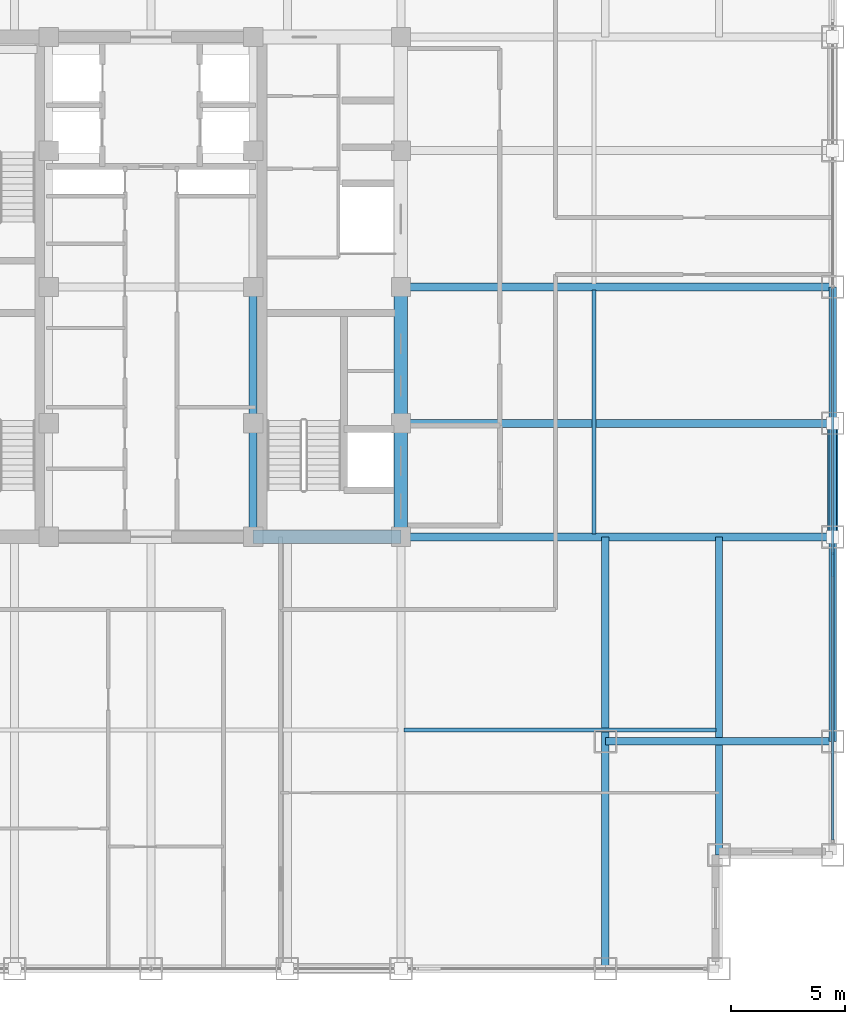
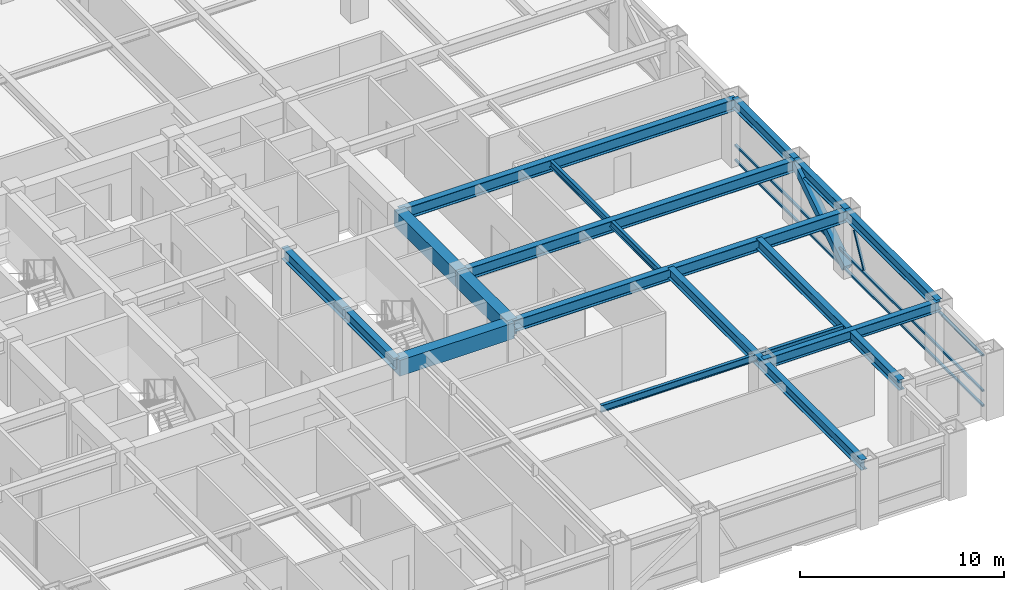
# One storey, part 9 of 24: 16 beams, 5 members, 1 element without a shape of its own.
"""IFC4 building model written with IfcOpenShell, lengths in metres."""

from ifc_helpers import new_model, si_unit, direction, frame, origin, origin_2d, place, context, subcontext, project, spatial, rectangle, hollow_rectangle, i_section, extrude, source, transform, mapped, material, material_profile, profile_set, type_object, element, aggregate, save


model = new_model("IFC4")

# Units and contexts
model_context = context("Model", 3, precision=1e-05, world=origin(), true_north=direction((0.0, 1.0)))
body_context = subcontext(model_context, "Body", "Model", "MODEL_VIEW")
ifc_project = project(units=[si_unit("LENGTHUNIT", "METRE"), si_unit("AREAUNIT", "SQUARE_METRE"), si_unit("VOLUMEUNIT", "CUBIC_METRE"), si_unit("PLANEANGLEUNIT", "RADIAN"), si_unit("MASSUNIT", "GRAM", prefix="KILO")], contexts=[model_context])

# Site, building, storey
site_placement = place(None, origin())
site = spatial("IfcSite", under=ifc_project, at=site_placement, CompositionType="ELEMENT")
building_placement = place(site_placement, origin())
building = spatial("IfcBuilding", under=site, at=building_placement, Name="Khorayat Bourse Tower", CompositionType="ELEMENT")
storey_placement = place(building_placement, frame((0.0, 0.0, 211.10009765625)))
storey = spatial("IfcBuildingStorey", under=building, at=storey_placement, Name="L49", CompositionType="ELEMENT", Elevation=211.10009765625)

# Beams
ifc_material_1 = material(Name="Steel ASTM A992 Grade 50", Category="steel")
ifc_material_profile_1 = material_profile(ifc_material_1, i_section(OverallWidth=0.35498046875, OverallDepth=0.695068359375, WebThickness=0.015380859375, FlangeThickness=0.02490234375, FilletRadius=0.01806640625, at=origin_2d()), Name="W690X217")
ifc_profile_set_1 = profile_set([ifc_material_profile_1], Name="Steel ASTM A992 Grade 50")
beam_type_1 = type_object("IfcBeamType", Name="BM-GIRD-690", PredefinedType="BEAM", material=ifc_profile_set_1)
shared_shape_1 = source(origin(), body_context, "Body", "SweptSolid", [
    extrude(i_section(OverallWidth=0.35498046875, OverallDepth=0.695068359375, WebThickness=0.015380859375, FlangeThickness=0.02490234375, FilletRadius=0.01806640625, at=origin_2d()), origin(), (0.0, 0.0, 1.0), 5.0),
])
beam_1_placement = place(storey_placement, frame((4.5, -11.0, 3.432373046875), z_axis=(0.0, 1.0, 0.0), x_axis=(-1.0, 0.0, 0.0)))
element("IfcBeam", 1, at=beam_1_placement, inside=storey, type_object=beam_type_1, Name="L49 BM-GIRD-690 BM-L49-CRX-09", PredefinedType="BEAM", context=body_context, shape_type="MappedRepresentation", body=[
    mapped(shared_shape_1, transform((0.0, 0.0, 0.0), scale=1.0)),
])
shared_shape_2 = source(origin(), body_context, "Body", "SweptSolid", [
    extrude(i_section(OverallWidth=0.35498046875, OverallDepth=0.695068359375, WebThickness=0.015380859375, FlangeThickness=0.02490234375, FilletRadius=0.01806640625, at=origin_2d()), origin(), (0.0, 0.0, 1.0), 6.0),
])
beam_2_placement = place(storey_placement, frame((4.5, -6.0, 3.432373046875), z_axis=(0.0, 1.0, 0.0), x_axis=(-1.0, 0.0, 0.0)))
element("IfcBeam", 2, at=beam_2_placement, inside=storey, type_object=beam_type_1, Name="L49 BM-GIRD-690 BM-L49-CRX-10", PredefinedType="BEAM", context=body_context, shape_type="MappedRepresentation", body=[
    mapped(shared_shape_2, transform((0.0, 0.0, 0.0), scale=1.0)),
])
ifc_material_profile_2 = material_profile(ifc_material_1, i_section(OverallWidth=0.324951171875, OverallDepth=0.615966796875, WebThickness=0.013916015625, FlangeThickness=0.021484375, FilletRadius=0.01611328125, at=origin_2d()), Name="W610X174")
ifc_profile_set_2 = profile_set([ifc_material_profile_2], Name="Steel ASTM A992 Grade 50")
beam_type_2 = type_object("IfcBeamType", Name="BM-GIRD-610", PredefinedType="BEAM", material=ifc_profile_set_2)
shared_shape_3 = source(origin(), body_context, "Body", "SweptSolid", [
    extrude(i_section(OverallWidth=0.324951171875, OverallDepth=0.615966796875, WebThickness=0.013916015625, FlangeThickness=0.021484375, FilletRadius=0.01611328125, at=origin_2d()), origin(), (0.0, 0.0, 1.0), 19.0),
])
beam_3_placement = place(storey_placement, frame((20.0, -30.0, 3.471923828125), z_axis=(0.0, 1.0, 0.0), x_axis=(-1.0, 0.0, 0.0)))
element("IfcBeam", 3, at=beam_3_placement, inside=storey, type_object=beam_type_2, Name="L49 BM-GIRD-610 BM-L49-CNRY-086", PredefinedType="BEAM", context=body_context, shape_type="MappedRepresentation", body=[
    mapped(shared_shape_3, transform((0.0, 0.0, 0.0), scale=1.0)),
])
shared_shape_4 = source(origin(), body_context, "Body", "SweptSolid", [
    extrude(i_section(OverallWidth=0.324951171875, OverallDepth=0.615966796875, WebThickness=0.013916015625, FlangeThickness=0.021484375, FilletRadius=0.01611328125, at=origin_2d()), origin(), (0.0, 0.0, 1.0), 10.0),
])
beam_4_placement = place(storey_placement, frame((20.0, -20.0, 3.471923828125), z_axis=(1.0, 0.0, 0.0), x_axis=(0.0, 1.0, 0.0)))
element("IfcBeam", 4, at=beam_4_placement, inside=storey, type_object=beam_type_2, Name="L49 BM-GIRD-610 BM-L49-CNRX-092", PredefinedType="BEAM", context=body_context, shape_type="MappedRepresentation", body=[
    mapped(shared_shape_4, transform((0.0, 0.0, 0.0), scale=1.0)),
])
ifc_material_profile_3 = material_profile(ifc_material_1, i_section(OverallWidth=0.180908203125, OverallDepth=0.4169921875, WebThickness=0.010986328125, FlangeThickness=0.018310546875, FilletRadius=0.011962890625, at=origin_2d()), Name="W410X85")
ifc_profile_set_3 = profile_set([ifc_material_profile_3], Name="Steel ASTM A992 Grade 50")
beam_type_3 = type_object("IfcBeamType", Name="BM-JOIST-410", PredefinedType="JOIST", material=ifc_profile_set_3)
shared_shape_5 = source(origin(), body_context, "Body", "SweptSolid", [
    extrude(i_section(OverallWidth=0.180908203125, OverallDepth=0.4169921875, WebThickness=0.010986328125, FlangeThickness=0.018310546875, FilletRadius=0.011962890625, at=origin_2d()), origin(), (0.0, 0.0, 1.0), 10.740234375),
])
beam_5_placement = place(storey_placement, frame((19.5, -10.8701171875, 3.5712890625), z_axis=(0.0, 1.0, 0.0), x_axis=(-1.0, 0.0, 0.0)))
element("IfcBeam", 5, at=beam_5_placement, inside=storey, type_object=beam_type_3, Name="L49 BM-JOIST-410 BM-L49-JSTY-104", PredefinedType="JOIST", context=body_context, shape_type="MappedRepresentation", body=[
    mapped(shared_shape_5, transform((0.0, 0.0, 0.0), scale=1.0)),
])
ifc_material_profile_4 = material_profile(ifc_material_1, i_section(OverallWidth=0.324951171875, OverallDepth=0.615966796875, WebThickness=0.013916015625, FlangeThickness=0.021484375, FilletRadius=0.01611328125, at=origin_2d()), Name="W610X174")
ifc_profile_set_4 = profile_set([ifc_material_profile_4], Name="Steel ASTM A992 Grade 50")
beam_type_4 = type_object("IfcBeamType", Name="BM-SPAN-610", PredefinedType="SPANDREL", material=ifc_profile_set_4)
shared_shape_6 = source(origin(), body_context, "Body", "SweptSolid", [
    extrude(i_section(OverallWidth=0.324951171875, OverallDepth=0.615966796875, WebThickness=0.013916015625, FlangeThickness=0.021484375, FilletRadius=0.01611328125, at=origin_2d()), origin(), (0.0, 0.0, 1.0), 9.0),
])
beam_6_placement = place(storey_placement, frame((30.0, -20.0, 3.471923828125), z_axis=(0.0, 1.0, 0.0), x_axis=(-1.0, 0.0, 0.0)))
element("IfcBeam", 6, at=beam_6_placement, inside=storey, type_object=beam_type_4, Name="L49 BM-SPAN-610 BM-L49-SPN-035", PredefinedType="SPANDREL", context=body_context, shape_type="MappedRepresentation", body=[
    mapped(shared_shape_6, transform((0.0, 0.0, 0.0), scale=1.0)),
])
shared_shape_7 = source(origin(), body_context, "Body", "SweptSolid", [
    extrude(i_section(OverallWidth=0.324951171875, OverallDepth=0.615966796875, WebThickness=0.013916015625, FlangeThickness=0.021484375, FilletRadius=0.01611328125, at=origin_2d()), origin(), (0.0, 0.0, 1.0), 5.0),
])
beam_7_placement = place(storey_placement, frame((30.0, -11.0, 3.471923828125), z_axis=(0.0, 1.0, 0.0), x_axis=(-1.0, 0.0, 0.0)))
element("IfcBeam", 7, at=beam_7_placement, inside=storey, type_object=beam_type_4, Name="L49 BM-SPAN-610 BM-L49-SPN-036", PredefinedType="SPANDREL", context=body_context, shape_type="MappedRepresentation", body=[
    mapped(shared_shape_7, transform((0.0, 0.0, 0.0), scale=1.0)),
])
shared_shape_8 = source(origin(), body_context, "Body", "SweptSolid", [
    extrude(i_section(OverallWidth=0.324951171875, OverallDepth=0.615966796875, WebThickness=0.013916015625, FlangeThickness=0.021484375, FilletRadius=0.01611328125, at=origin_2d()), origin(), (0.0, 0.0, 1.0), 6.0),
])
beam_8_placement = place(storey_placement, frame((30.0, -6.0, 3.471923828125), z_axis=(0.0, 1.0, 0.0), x_axis=(-1.0, 0.0, 0.0)))
element("IfcBeam", 8, at=beam_8_placement, inside=storey, type_object=beam_type_4, Name="L49 BM-SPAN-610 BM-L49-SPN-037", PredefinedType="SPANDREL", context=body_context, shape_type="MappedRepresentation", body=[
    mapped(shared_shape_8, transform((0.0, 0.0, 0.0), scale=1.0)),
])
ifc_material_2 = material(Name="Concrete C60/75", Category="concrete")
ifc_material_profile_5 = material_profile(ifc_material_2, rectangle(XDim=0.60009765625, YDim=0.949951171875, at=origin_2d()), Name="RC 600x950")
ifc_profile_set_5 = profile_set([ifc_material_profile_5], Name="Concrete C60/75")
beam_type_5 = type_object("IfcBeamType", Name="BM-COUP-950", PredefinedType="BEAM", material=ifc_profile_set_5)
shared_shape_9 = source(origin(), body_context, "Body", "SweptSolid", [
    extrude(rectangle(XDim=0.60009765625, YDim=0.949951171875, at=origin_2d()), origin(), (0.0, 0.0, 1.0), 5.0),
])
beam_9_placement = place(storey_placement, frame((11.0, -11.0, 3.304931640625), z_axis=(0.0, 1.0, 0.0), x_axis=(-1.0, 0.0, 0.0)))
element("IfcBeam", 9, at=beam_9_placement, inside=storey, type_object=beam_type_5, Name="L49 BM-COUP-950 BM-L49-CRX-13", PredefinedType="BEAM", context=body_context, shape_type="MappedRepresentation", body=[
    mapped(shared_shape_9, transform((0.0, 0.0, 0.0), scale=1.0)),
])
shared_shape_10 = source(origin(), body_context, "Body", "SweptSolid", [
    extrude(rectangle(XDim=0.60009765625, YDim=0.949951171875, at=origin_2d()), origin(), (0.0, 0.0, 1.0), 6.0),
])
beam_10_placement = place(storey_placement, frame((11.0, -6.0, 3.304931640625), z_axis=(0.0, 1.0, 0.0), x_axis=(-1.0, 0.0, 0.0)))
element("IfcBeam", 10, at=beam_10_placement, inside=storey, type_object=beam_type_5, Name="L49 BM-COUP-950 BM-L49-CRX-14", PredefinedType="BEAM", context=body_context, shape_type="MappedRepresentation", body=[
    mapped(shared_shape_10, transform((0.0, 0.0, 0.0), scale=1.0)),
])
shared_shape_11 = source(origin(), body_context, "Body", "SweptSolid", [
    extrude(rectangle(XDim=0.60009765625, YDim=0.949951171875, at=origin_2d()), origin(), (0.0, 0.0, 1.0), 6.5),
])
beam_11_placement = place(storey_placement, frame((4.5, -11.0, 3.304931640625), z_axis=(1.0, 0.0, 0.0), x_axis=(0.0, 1.0, 0.0)))
element("IfcBeam", 11, at=beam_11_placement, inside=storey, type_object=beam_type_5, Name="L49 BM-COUP-950 BM-L49-CRY-19", PredefinedType="BEAM", context=body_context, shape_type="MappedRepresentation", body=[
    mapped(shared_shape_11, transform((0.0, 0.0, 0.0), scale=1.0)),
])
shared_shape_12 = source(origin(), body_context, "Body", "SweptSolid", [
    extrude(i_section(OverallWidth=0.35498046875, OverallDepth=0.695068359375, WebThickness=0.015380859375, FlangeThickness=0.02490234375, FilletRadius=0.01806640625, at=origin_2d()), origin(), (0.0, 0.0, 1.0), 19.0),
])
for number, where, z_axis, x_axis, name in (
    (12, (11.0, -11.0, 3.432373046875), (1.0, 0.0, 0.0), (0.0, 1.0, 0.0), "L49 BM-GIRD-690 BM-L49-RADX-074"),
    (13, (11.0, -6.0, 3.432373046875), (1.0, 0.0, 0.0), (0.0, 1.0, 0.0), "L49 BM-GIRD-690 BM-L49-RADX-076"),
    (14, (11.0, 0.0, 3.432373046875), (1.0, 0.0, 0.0), (0.0, 1.0, 0.0), "L49 BM-GIRD-690 BM-L49-RADX-078"),
):
    element("IfcBeam", number, at=place(storey_placement, frame(where, z_axis=z_axis, x_axis=x_axis)), inside=storey, type_object=beam_type_1, Name=name, PredefinedType="BEAM", context=body_context, shape_type="MappedRepresentation", body=[
        mapped(shared_shape_12, transform((0.0, 0.0, 0.0), scale=1.0)),
    ])
shared_shape_13 = source(origin(), body_context, "Body", "SweptSolid", [
    extrude(i_section(OverallWidth=0.324951171875, OverallDepth=0.615966796875, WebThickness=0.013916015625, FlangeThickness=0.021484375, FilletRadius=0.01611328125, at=origin_2d()), origin(), (0.0, 0.0, 1.0), 14.0),
])
beam_12_placement = place(storey_placement, frame((25.0, -25.0, 3.471923828125), z_axis=(0.0, 1.0, 0.0), x_axis=(-1.0, 0.0, 0.0)))
element("IfcBeam", 15, at=beam_12_placement, inside=storey, type_object=beam_type_2, Name="L49 BM-GIRD-610 BM-L49-CNRY-090", PredefinedType="BEAM", context=body_context, shape_type="MappedRepresentation", body=[
    mapped(shared_shape_13, transform((0.0, 0.0, 0.0), scale=1.0)),
])
shared_shape_14 = source(origin(), body_context, "Body", "SweptSolid", [
    extrude(i_section(OverallWidth=0.180908203125, OverallDepth=0.4169921875, WebThickness=0.010986328125, FlangeThickness=0.018310546875, FilletRadius=0.011962890625, at=origin_2d()), origin(), (0.0, 0.0, 1.0), 13.740234375),
])
beam_13_placement = place(storey_placement, frame((11.1298828125, -19.5, 3.5712890625), z_axis=(1.0, 0.0, 0.0), x_axis=(0.0, 1.0, 0.0)))
element("IfcBeam", 16, at=beam_13_placement, inside=storey, type_object=beam_type_3, Name="L49 BM-JOIST-410 BM-L49-JSTX-098", PredefinedType="JOIST", context=body_context, shape_type="MappedRepresentation", body=[
    mapped(shared_shape_14, transform((0.0, 0.0, 0.0), scale=1.0)),
])

# Member
ifc_material_3 = material(Name="Steel EN 10025-4 S460M", Category="steel")
ifc_material_profile_6 = material_profile(ifc_material_3, hollow_rectangle(XDim=0.449951171875, YDim=0.449951171875, WallThickness=0.02490234375, at=origin_2d()), Name="HSS 450x450x25")
ifc_profile_set_6 = profile_set([ifc_material_profile_6], Name="Steel EN 10025-4 S460M")
member_type_1 = type_object("IfcMemberType", Name="MBR-TUBE-450", PredefinedType="BRACE", material=ifc_profile_set_6)
shared_shape_15 = source(origin(), body_context, "Body", "SweptSolid", [
    extrude(hollow_rectangle(XDim=0.449951171875, YDim=0.449951171875, WallThickness=0.02490234375, at=origin_2d()), origin(), (0.0, 0.0, 1.0), 5.979736328125),
])
member_1_placement = place(storey_placement, frame((30.0, -11.0, 0.25), z_axis=(0.0, 0.836160261256, 0.548485202623), x_axis=(-1.0, 0.0, 0.0)))
element("IfcMember", 17, at=member_1_placement, inside=storey, type_object=member_type_1, Name="L49 Perimeter Tube Brace 07", PredefinedType="BRACE", context=body_context, shape_type="MappedRepresentation", body=[
    mapped(shared_shape_15, transform((0.0, 0.0, 0.0), scale=1.0)),
])

# Curtain wall, members
ifc_material_4 = material(Name="Aluminium EN AW-6063 T6", Category="aluminium")
curtain_wall_type = type_object("IfcCurtainWallType", Name="CW-SYS-03", PredefinedType="NOTDEFINED", material=ifc_material_4)
curtain_wall_placement = place(storey_placement, origin())
curtain_wall = element("IfcCurtainWall", 18, at=curtain_wall_placement, inside=storey, type_object=curtain_wall_type, Name="L49 Curtain Wall CW-L49-E1", PredefinedType="NOTDEFINED")
ifc_material_profile_7 = material_profile(ifc_material_4, hollow_rectangle(XDim=0.1201171875, YDim=0.1201171875, WallThickness=0.0048828125, at=origin_2d()), Name="ALU 120x120x5")
ifc_profile_set_7 = profile_set([ifc_material_profile_7], Name="Aluminium EN AW-6063 T6")
member_type_2 = type_object("IfcMemberType", Name="CWM-DIAG-120", PredefinedType="MULLION", material=ifc_profile_set_7)
shared_shape_16 = source(origin(), body_context, "Body", "SweptSolid", [
    extrude(hollow_rectangle(XDim=0.1201171875, YDim=0.1201171875, WallThickness=0.0048828125, at=origin_2d()), origin(), (0.0, 0.0, 1.0), 2.079345703125),
])
member_2_placement = place(storey_placement, frame((30.0, -12.67919921875, 1.08984375), z_axis=(0.0, 0.465760949701, 0.884910581773), x_axis=(-1.0, 0.0, 0.0)))
member_2 = element("IfcMember", 19, at=member_2_placement, type_object=member_type_2, Name="CW-L49-E1 Faceted Diagonal Mullion 1", PredefinedType="MULLION", context=body_context, shape_type="MappedRepresentation", body=[
    mapped(shared_shape_16, transform((0.0, 0.0, 0.0), scale=1.0)),
])
ifc_material_profile_8 = material_profile(ifc_material_4, hollow_rectangle(XDim=0.1201171875, YDim=0.1201171875, WallThickness=0.0048828125, at=origin_2d()), Name="ALU 120x120x5")
ifc_profile_set_8 = profile_set([ifc_material_profile_8], Name="Aluminium EN AW-6063 T6")
member_type_3 = type_object("IfcMemberType", Name="CWT-HORZ-120", PredefinedType="USERDEFINED", material=ifc_profile_set_8)
shared_shape_17 = source(origin(), body_context, "Body", "SweptSolid", [
    extrude(hollow_rectangle(XDim=0.1201171875, YDim=0.1201171875, WallThickness=0.0048828125, at=origin_2d()), origin(), (0.0, 0.0, 1.0), 24.27001953125),
])
member_3_placement = place(storey_placement, frame((30.0, -24.330078125, 0.059814453125), z_axis=(0.0, 1.0, 0.0), x_axis=(-1.0, 0.0, 0.0)))
member_3 = element("IfcMember", 20, at=member_3_placement, type_object=member_type_3, Name="CW-L49-E1 Horizontal Transom 1-1", ObjectType="TRANSOM", PredefinedType="USERDEFINED", context=body_context, shape_type="MappedRepresentation", body=[
    mapped(shared_shape_17, transform((0.0, 0.0, 0.0), scale=1.0)),
])
member_4_placement = place(storey_placement, frame((30.0, -24.330078125, 0.949951171875), z_axis=(0.0, 1.0, 0.0), x_axis=(-1.0, 0.0, 0.0)))
member_4 = element("IfcMember", 21, at=member_4_placement, type_object=member_type_3, Name="CW-L49-E1 Horizontal Transom 1-2", ObjectType="TRANSOM", PredefinedType="USERDEFINED", context=body_context, shape_type="MappedRepresentation", body=[
    mapped(shared_shape_17, transform((0.0, 0.0, 0.0), scale=1.0)),
])
member_5_placement = place(storey_placement, frame((30.0, -24.330078125, 3.06982421875), z_axis=(0.0, 1.0, 0.0), x_axis=(-1.0, 0.0, 0.0)))
member_5 = element("IfcMember", 22, at=member_5_placement, type_object=member_type_3, Name="CW-L49-E1 Horizontal Transom 1-3", ObjectType="TRANSOM", PredefinedType="USERDEFINED", context=body_context, shape_type="MappedRepresentation", body=[
    mapped(shared_shape_17, transform((0.0, 0.0, 0.0), scale=1.0)),
])
aggregate(curtain_wall, [member_3, member_4, member_5, member_2])

save(model, "model.ifc")
